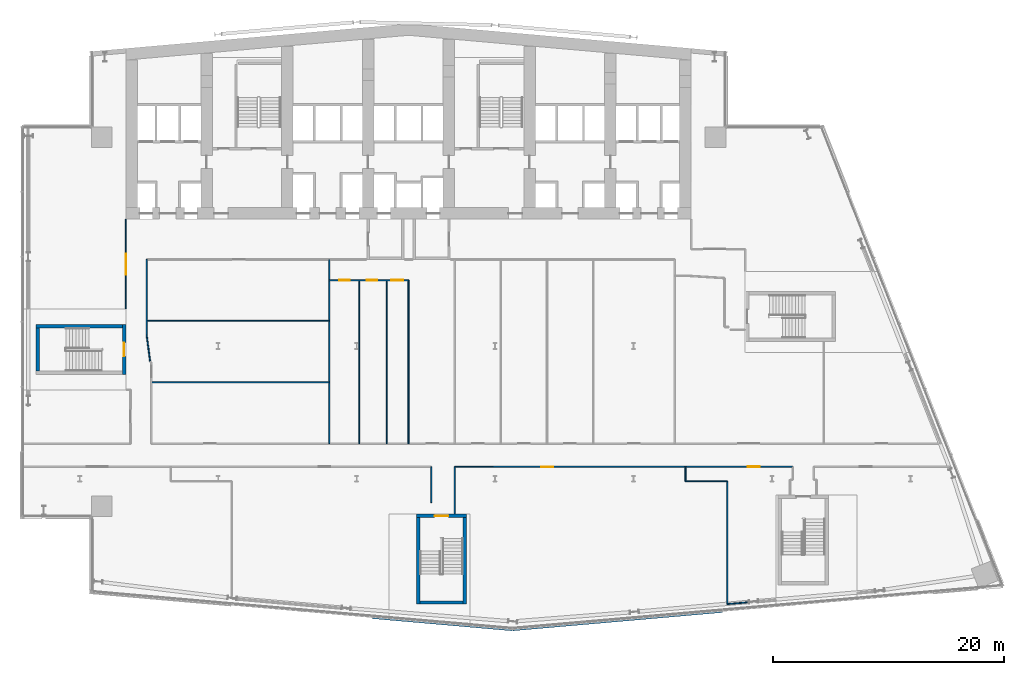
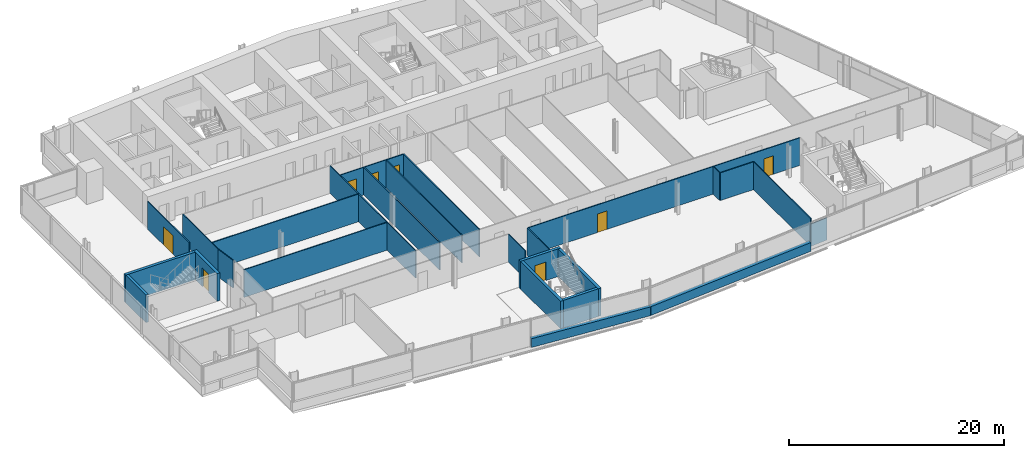
# One storey, part 15 of 25: 26 walls, 8 doors, 8 openings.
"""IFC4 building model written with IfcOpenShell, lengths in metres."""

from ifc_helpers import new_model, si_unit, direction, frame, frame_2d, origin, place, context, subcontext, project, spatial, rectangle, extrude, material, layer, layer_set, type_object, element, fill, save


model = new_model("IFC4")

# Units and contexts
model_context = context("Model", 3, precision=1e-05, world=origin(), true_north=direction((0.0, 1.0)))
body_context = subcontext(model_context, "Body", "Model", "MODEL_VIEW")
ifc_project = project(units=[si_unit("LENGTHUNIT", "METRE"), si_unit("AREAUNIT", "SQUARE_METRE"), si_unit("VOLUMEUNIT", "CUBIC_METRE"), si_unit("PLANEANGLEUNIT", "RADIAN"), si_unit("MASSUNIT", "GRAM", prefix="KILO")], contexts=[model_context])

# Site, building, storey
site_placement = place(None, origin())
site = spatial("IfcSite", under=ifc_project, at=site_placement, CompositionType="ELEMENT")
building_placement = place(site_placement, origin())
building = spatial("IfcBuilding", under=site, at=building_placement, Name="Wharfspan Tower", CompositionType="ELEMENT")
storey_placement = place(building_placement, frame((0.0, 0.0, 143.5)))
storey = spatial("IfcBuildingStorey", under=building, at=storey_placement, Name="L34", CompositionType="ELEMENT", Elevation=143.5)

# Wall, opening, door
ifc_material_1 = material(Name="Gypsum board on steel studs", Category="steel")
ifc_layer_1 = layer(ifc_material_1, 0.100098)
ifc_layer_set_1 = layer_set([ifc_layer_1], Name="Gypsum board on steel studs")
wall_type_1 = type_object("IfcWallType", Name="Compartment wall 100 EI 60", PredefinedType="PARTITIONING", material=ifc_layer_set_1)
wall_1_placement = place(storey_placement, frame((16.0, 26.219971, 0.0), z_axis=(0.0, 0.0, 1.0), x_axis=(0.0, 1.0, 0.0)))
wall_1 = element("IfcWall", 1, at=wall_1_placement, inside=storey, type_object=wall_type_1, Name="Partition L34.w005", PredefinedType="PARTITIONING", context=body_context, shape_type="SweptSolid", body=[
    extrude(rectangle(XDim=7.76001, YDim=0.100098, at=frame_2d((3.879883, 0.0))), origin(), (0.0, 0.0, 1.0), 3.149902),
])
opening_1_placement = place(wall_1_placement, frame((2.959961, 0.0, 0.0)))
opening_1 = element("IfcOpeningElement", 2, at=opening_1_placement, cuts=wall_1, Name="Opening B6-19", PredefinedType="OPENING", context=body_context, shape_type="SweptSolid", body=[
    extrude(rectangle(XDim=1.800049, YDim=2.100098, at=frame_2d((0.899902, 1.050049))), frame((0.0, 0.060059, 0.0), z_axis=(0.0, -1.0, 0.0), x_axis=(1.0, 0.0, 0.0)), (0.0, 0.0, 1.0), 0.120117),
])
ifc_material_2 = material(Name="Fire-rated timber door leaf in steel frame", Category="steel")
door_type_1 = type_object("IfcDoorType", Name="Door 1800 FD30S Double", OperationType="DOUBLE_DOOR_SINGLE_SWING", PredefinedType="DOOR", material=ifc_material_2)
door_1_placement = place(opening_1_placement, origin())
door_1 = element("IfcDoor", 3, at=door_1_placement, inside=storey, type_object=door_type_1, Name="Door B6-19", OperationType="DOUBLE_DOOR_SINGLE_SWING", OverallHeight=2.100098, OverallWidth=1.800049, PredefinedType="DOOR", context=body_context, shape_type="SweptSolid", body=[
    extrude(rectangle(XDim=1.800049, YDim=2.100098, at=frame_2d((0.899902, 1.050049))), frame((0.0, 0.024902, 0.0), z_axis=(0.0, -1.0, 0.0), x_axis=(1.0, 0.0, 0.0)), (0.0, 0.0, 1.0), 0.050049),
])
fill(opening_1, door_1)

# Walls
wall_2_placement = place(storey_placement, frame((17.800049, 23.935059, 0.0), z_axis=(0.0, 0.0, 1.0), x_axis=(0.0, 1.0, 0.0)))
element("IfcWall", 4, at=wall_2_placement, inside=storey, type_object=wall_type_1, Name="Partition L34.w008", PredefinedType="PARTITIONING", context=body_context, shape_type="SweptSolid", body=[
    extrude(rectangle(XDim=6.564941, YDim=0.100098, at=frame_2d((3.282471, 0.0))), origin(), (0.0, 0.0, 1.0), 3.149902),
])
wall_3_placement = place(storey_placement, frame((17.800049, 25.175049, 0.0), z_axis=(0.0, 0.0, 1.0), x_axis=(1.0, 0.0, 0.0)))
element("IfcWall", 5, at=wall_3_placement, inside=storey, type_object=wall_type_1, Name="Partition L34.w009", PredefinedType="PARTITIONING", context=body_context, shape_type="SweptSolid", body=[
    extrude(rectangle(XDim=15.824951, YDim=0.100098, at=frame_2d((7.912598, 0.0))), origin(), (0.0, 0.0, 1.0), 3.149902),
])
wall_4_placement = place(storey_placement, frame((18.100098, 21.659912, 0.0), z_axis=(0.0, 0.0, 1.0), x_axis=(-0.130749, 0.991416, 0.0)))
element("IfcWall", 6, at=wall_4_placement, inside=storey, type_object=wall_type_1, Name="Partition L34.w011", PredefinedType="PARTITIONING", context=body_context, shape_type="SweptSolid", body=[
    extrude(rectangle(XDim=2.294922, YDim=0.100098, at=frame_2d((1.147461, 0.0))), origin(), (0.0, 0.0, 1.0), 3.149902),
])
wall_5_placement = place(storey_placement, frame((18.199951, 19.85498, 0.0), z_axis=(0.0, 0.0, 1.0), x_axis=(1.0, 0.0, 0.0)))
element("IfcWall", 7, at=wall_5_placement, inside=storey, type_object=wall_type_1, Name="Partition L34.w014", PredefinedType="PARTITIONING", context=body_context, shape_type="SweptSolid", body=[
    extrude(rectangle(XDim=15.425049, YDim=0.100098, at=frame_2d((7.712402, 0.0))), origin(), (0.0, 0.0, 1.0), 3.149902),
])
wall_6_placement = place(storey_placement, frame((33.625, 14.530029, 0.0), z_axis=(0.0, 0.0, 1.0), x_axis=(0.0, 1.0, 0.0)))
element("IfcWall", 8, at=wall_6_placement, inside=storey, type_object=wall_type_1, Name="Partition L34.w020", PredefinedType="PARTITIONING", context=body_context, shape_type="SweptSolid", body=[
    extrude(rectangle(XDim=15.959961, YDim=0.100098, at=frame_2d((7.97998, 0.0))), origin(), (0.0, 0.0, 1.0), 3.149902),
])
for number, where, z_axis, x_axis, name in (
    (9, (36.215088, 14.530029, 0.0), (0.0, 0.0, 1.0), (0.0, 1.0, 0.0), "Partition L34.w023"),
    (10, (38.600098, 14.530029, 0.0), (0.0, 0.0, 1.0), (0.0, 1.0, 0.0), "Partition L34.w024"),
    (11, (40.5, 14.530029, 0.0), (0.0, 0.0, 1.0), (0.0, 1.0, 0.0), "Partition L34.w025"),
):
    element("IfcWall", number, at=place(storey_placement, frame(where, z_axis=z_axis, x_axis=x_axis)), inside=storey, type_object=wall_type_1, Name=name, PredefinedType="PARTITIONING", context=body_context, shape_type="SweptSolid", body=[
        extrude(rectangle(XDim=14.169922, YDim=0.100098, at=frame_2d((7.084961, 0.0))), origin(), (0.0, 0.0, 1.0), 3.149902),
    ])
wall_7_placement = place(storey_placement, frame((42.459961, 9.416992, 0.0), z_axis=(0.0, 0.0, 1.0), x_axis=(0.0, 1.0, 0.0)))
element("IfcWall", 12, at=wall_7_placement, inside=storey, type_object=wall_type_1, Name="Partition L34.w026", PredefinedType="PARTITIONING", context=body_context, shape_type="SweptSolid", body=[
    extrude(rectangle(XDim=3.113037, YDim=0.100098, at=frame_2d((1.556641, 0.0))), origin(), (0.0, 0.0, 1.0), 3.149902),
])
wall_8_placement = place(storey_placement, frame((44.51001, 8.437012, 0.0), z_axis=(0.0, 0.0, 1.0), x_axis=(0.0, 1.0, 0.0)))
element("IfcWall", 13, at=wall_8_placement, inside=storey, type_object=wall_type_1, Name="Partition L34.w028", PredefinedType="PARTITIONING", context=body_context, shape_type="SweptSolid", body=[
    extrude(rectangle(XDim=4.087891, YDim=0.100098, at=frame_2d((2.043945, 0.0))), origin(), (0.0, 0.0, 1.0), 3.149902),
])

# Wall, openings, doors
wall_9_placement = place(storey_placement, frame((44.51001, 12.524902, 0.0), z_axis=(0.0, 0.0, 1.0), x_axis=(1.0, 0.00025, 0.0)))
wall_9 = element("IfcWall", 14, at=wall_9_placement, inside=storey, type_object=wall_type_1, Name="Partition L34.w029", PredefinedType="PARTITIONING", context=body_context, shape_type="SweptSolid", body=[
    extrude(rectangle(XDim=29.296875, YDim=0.100098, at=frame_2d((14.648438, 0.0))), origin(), (0.0, 0.0, 1.0), 3.149902),
])
opening_2_placement = place(wall_9_placement, frame((7.510254, 0.0, 0.0)))
opening_2 = element("IfcOpeningElement", 15, at=opening_2_placement, cuts=wall_9, Name="Opening B6-01", PredefinedType="OPENING", context=body_context, shape_type="SweptSolid", body=[
    extrude(rectangle(XDim=1.0, YDim=2.100098, at=frame_2d((0.5, 1.050049))), frame((0.0, 0.060059, 0.0), z_axis=(0.0, -1.0, 0.0), x_axis=(1.0, 0.0, 0.0)), (0.0, 0.0, 1.0), 0.120117),
])
opening_3_placement = place(wall_9_placement, frame((25.409912, 0.0, 0.0)))
opening_3 = element("IfcOpeningElement", 16, at=opening_3_placement, cuts=wall_9, Name="Opening B6-04", PredefinedType="OPENING", context=body_context, shape_type="SweptSolid", body=[
    extrude(rectangle(XDim=1.0, YDim=2.100098, at=frame_2d((0.5, 1.050049))), frame((0.0, 0.060059, 0.0), z_axis=(0.0, -1.0, 0.0), x_axis=(1.0, 0.0, 0.0)), (0.0, 0.0, 1.0), 0.120117),
])
door_type_2 = type_object("IfcDoorType", Name="Door 1000 FD30S Left", OperationType="SINGLE_SWING_LEFT", PredefinedType="DOOR", material=ifc_material_2)
door_2_placement = place(opening_2_placement, origin())
door_2 = element("IfcDoor", 17, at=door_2_placement, inside=storey, type_object=door_type_2, Name="Door B6-01", OperationType="SINGLE_SWING_LEFT", OverallHeight=2.100098, OverallWidth=1.0, PredefinedType="DOOR", context=body_context, shape_type="SweptSolid", body=[
    extrude(rectangle(XDim=1.0, YDim=2.100098, at=frame_2d((0.5, 1.050049))), frame((0.0, 0.024902, 0.0), z_axis=(0.0, -1.0, 0.0), x_axis=(1.0, 0.0, 0.0)), (0.0, 0.0, 1.0), 0.050049),
])
fill(opening_2, door_2)
door_type_3 = type_object("IfcDoorType", Name="Door 1000 FD30S Right", OperationType="SINGLE_SWING_RIGHT", PredefinedType="DOOR", material=ifc_material_2)
door_3_placement = place(opening_3_placement, origin())
door_3 = element("IfcDoor", 18, at=door_3_placement, inside=storey, type_object=door_type_3, Name="Door B6-04", OperationType="SINGLE_SWING_RIGHT", OverallHeight=2.100098, OverallWidth=1.0, PredefinedType="DOOR", context=body_context, shape_type="SweptSolid", body=[
    extrude(rectangle(XDim=1.0, YDim=2.100098, at=frame_2d((0.5, 1.050049))), frame((0.0, 0.024902, 0.0), z_axis=(0.0, -1.0, 0.0), x_axis=(1.0, 0.0, 0.0)), (0.0, 0.0, 1.0), 0.050049),
])
fill(opening_3, door_3)

# Wall
wall_10_placement = place(storey_placement, frame((64.5, 11.290039, 0.0), z_axis=(0.0, 0.0, 1.0), x_axis=(0.0, 1.0, 0.0)))
element("IfcWall", 19, at=wall_10_placement, inside=storey, type_object=wall_type_1, Name="Partition L34.w035", PredefinedType="PARTITIONING", context=body_context, shape_type="SweptSolid", body=[
    extrude(rectangle(XDim=1.23999, YDim=0.100098, at=frame_2d((0.620117, 0.0))), origin(), (0.0, 0.0, 1.0), 3.149902),
])

# Wall, openings, doors
ifc_layer_2 = layer(ifc_material_1, 0.100098)
ifc_layer_set_2 = layer_set([ifc_layer_2], Name="Gypsum board on steel studs")
wall_type_2 = type_object("IfcWallType", Name="Partition 100", PredefinedType="PARTITIONING", material=ifc_layer_set_2)
wall_11_placement = place(storey_placement, frame((33.625, 28.699951, 0.0), z_axis=(0.0, 0.0, 1.0), x_axis=(1.0, 0.0, 0.0)))
wall_11 = element("IfcWall", 20, at=wall_11_placement, inside=storey, type_object=wall_type_2, Name="Partition L34.w021", PredefinedType="PARTITIONING", context=body_context, shape_type="SweptSolid", body=[
    extrude(rectangle(XDim=6.875, YDim=0.100098, at=frame_2d((3.4375, 0.0))), origin(), (0.0, 0.0, 1.0), 3.149902),
])
opening_4_placement = place(wall_11_placement, frame((0.870117, 0.0, 0.0)))
opening_4 = element("IfcOpeningElement", 21, at=opening_4_placement, cuts=wall_11, Name="Opening B6-16", PredefinedType="OPENING", context=body_context, shape_type="SweptSolid", body=[
    extrude(rectangle(XDim=0.899902, YDim=2.100098, at=frame_2d((0.449951, 1.050049))), frame((0.0, 0.060059, 0.0), z_axis=(0.0, -1.0, 0.0), x_axis=(1.0, 0.0, 0.0)), (0.0, 0.0, 1.0), 0.120117),
])
opening_5_placement = place(wall_11_placement, frame((3.26001, 0.0, 0.0)))
opening_5 = element("IfcOpeningElement", 22, at=opening_5_placement, cuts=wall_11, Name="Opening B6-17", PredefinedType="OPENING", context=body_context, shape_type="SweptSolid", body=[
    extrude(rectangle(XDim=0.899902, YDim=2.100098, at=frame_2d((0.449951, 1.050049))), frame((0.0, 0.060059, 0.0), z_axis=(0.0, -1.0, 0.0), x_axis=(1.0, 0.0, 0.0)), (0.0, 0.0, 1.0), 0.120117),
])
opening_6_placement = place(wall_11_placement, frame((5.39502, 0.0, 0.0)))
opening_6 = element("IfcOpeningElement", 23, at=opening_6_placement, cuts=wall_11, Name="Opening B6-18", PredefinedType="OPENING", context=body_context, shape_type="SweptSolid", body=[
    extrude(rectangle(XDim=1.0, YDim=2.100098, at=frame_2d((0.5, 1.050049))), frame((0.0, 0.060059, 0.0), z_axis=(0.0, -1.0, 0.0), x_axis=(1.0, 0.0, 0.0)), (0.0, 0.0, 1.0), 0.120117),
])
ifc_material_3 = material(Name="Timber door leaf in steel frame", Category="steel")
door_type_4 = type_object("IfcDoorType", Name="Door 1000 NOT RATED Right", OperationType="SINGLE_SWING_RIGHT", PredefinedType="DOOR", material=ifc_material_3)
door_4_placement = place(opening_6_placement, origin())
door_4 = element("IfcDoor", 24, at=door_4_placement, inside=storey, type_object=door_type_4, Name="Door B6-18", OperationType="SINGLE_SWING_RIGHT", OverallHeight=2.100098, OverallWidth=1.0, PredefinedType="DOOR", context=body_context, shape_type="SweptSolid", body=[
    extrude(rectangle(XDim=1.0, YDim=2.100098, at=frame_2d((0.5, 1.050049))), frame((0.0, 0.024902, 0.0), z_axis=(0.0, -1.0, 0.0), x_axis=(1.0, 0.0, 0.0)), (0.0, 0.0, 1.0), 0.050049),
])
fill(opening_6, door_4)
door_type_5 = type_object("IfcDoorType", Name="Door 900 NOT RATED Left", OperationType="SINGLE_SWING_LEFT", PredefinedType="DOOR", material=ifc_material_3)
door_5_placement = place(opening_4_placement, origin())
door_5 = element("IfcDoor", 25, at=door_5_placement, inside=storey, type_object=door_type_5, Name="Door B6-16", OperationType="SINGLE_SWING_LEFT", OverallHeight=2.100098, OverallWidth=0.899902, PredefinedType="DOOR", context=body_context, shape_type="SweptSolid", body=[
    extrude(rectangle(XDim=0.899902, YDim=2.100098, at=frame_2d((0.449951, 1.050049))), frame((0.0, 0.024902, 0.0), z_axis=(0.0, -1.0, 0.0), x_axis=(1.0, 0.0, 0.0)), (0.0, 0.0, 1.0), 0.050049),
])
fill(opening_4, door_5)
door_type_6 = type_object("IfcDoorType", Name="Door 900 NOT RATED Right", OperationType="SINGLE_SWING_RIGHT", PredefinedType="DOOR", material=ifc_material_3)
door_6_placement = place(opening_5_placement, origin())
door_6 = element("IfcDoor", 26, at=door_6_placement, inside=storey, type_object=door_type_6, Name="Door B6-17", OperationType="SINGLE_SWING_RIGHT", OverallHeight=2.100098, OverallWidth=0.899902, PredefinedType="DOOR", context=body_context, shape_type="SweptSolid", body=[
    extrude(rectangle(XDim=0.899902, YDim=2.100098, at=frame_2d((0.449951, 1.050049))), frame((0.0, 0.024902, 0.0), z_axis=(0.0, -1.0, 0.0), x_axis=(1.0, 0.0, 0.0)), (0.0, 0.0, 1.0), 0.050049),
])
fill(opening_5, door_6)

# Walls
wall_12_placement = place(storey_placement, frame((64.5, 11.290039, 0.0), z_axis=(0.0, 0.0, 1.0), x_axis=(1.0, 0.0, 0.0)))
element("IfcWall", 27, at=wall_12_placement, inside=storey, type_object=wall_type_2, Name="Partition L34.w036", PredefinedType="PARTITIONING", context=body_context, shape_type="SweptSolid", body=[
    extrude(rectangle(XDim=3.625, YDim=0.100098, at=frame_2d((1.8125, 0.0))), origin(), (0.0, 0.0, 1.0), 3.149902),
])
wall_13_placement = place(storey_placement, frame((68.125, 0.625, 0.0), z_axis=(0.0, 0.0, 1.0), x_axis=(0.0, 1.0, 0.0)))
element("IfcWall", 28, at=wall_13_placement, inside=storey, type_object=wall_type_2, Name="Partition L34.w042", PredefinedType="PARTITIONING", context=body_context, shape_type="SweptSolid", body=[
    extrude(rectangle(XDim=10.665039, YDim=0.100098, at=frame_2d((5.33252, 0.0))), origin(), (0.0, 0.0, 1.0), 3.149902),
])
wall_14_placement = place(storey_placement, frame((68.125, 0.625, 0.0), z_axis=(0.0, 0.0, 1.0), x_axis=(0.996253, 0.08653, 0.0)))
element("IfcWall", 29, at=wall_14_placement, inside=storey, type_object=wall_type_2, Name="Partition L34.w043", PredefinedType="PARTITIONING", context=body_context, shape_type="SweptSolid", body=[
    extrude(rectangle(XDim=1.791748, YDim=0.100098, at=frame_2d((0.895996, 0.0))), origin(), (0.0, 0.0, 1.0), 2.530029),
])
ifc_material_4 = material(Name="Concrete C40/50", Category="concrete")
ifc_layer_3 = layer(ifc_material_4, 0.350098)
ifc_layer_set_3 = layer_set([ifc_layer_3], Name="Concrete C40/50")
wall_type_3 = type_object("IfcWallType", Name="SPANDREL EXPOSED CONCRETE 350", PredefinedType="SOLIDWALL", material=ifc_layer_set_3)
wall_15_placement = place(storey_placement, frame((37.362793, -0.461426, 0.0), z_axis=(0.0, 0.0, 1.0), x_axis=(0.996194, -0.087159, 0.0)))
element("IfcWall", 30, at=wall_15_placement, inside=storey, type_object=wall_type_3, Name="Spandrel upstand L34 S1 2", PredefinedType="SOLIDWALL", context=body_context, shape_type="SweptSolid", body=[
    extrude(rectangle(XDim=12.19873, YDim=0.350098, at=frame_2d((6.099365, 0.0))), origin(), (0.0, 0.0, 1.0), 1.0),
])
wall_16_placement = place(storey_placement, frame((49.54541, -1.519287, 0.0), z_axis=(0.0, 0.0, 1.0), x_axis=(0.996191, 0.087151, 0.0)))
element("IfcWall", 31, at=wall_16_placement, inside=storey, type_object=wall_type_3, Name="Spandrel upstand L34 S2 1", PredefinedType="SOLIDWALL", context=body_context, shape_type="SweptSolid", body=[
    extrude(rectangle(XDim=18.20874, YDim=0.350098, at=frame_2d((9.104492, 0.0))), origin(), (0.0, 0.0, 1.0), 1.0),
])

# Wall, opening, door
ifc_layer_4 = layer(ifc_material_4, 0.300049)
ifc_layer_set_4 = layer_set([ifc_layer_4], Name="Concrete C40/50")
wall_type_4 = type_object("IfcWallType", Name="Stair core wall 300", PredefinedType="SHEAR", material=ifc_layer_set_4)
wall_17_placement = place(storey_placement, frame((15.850098, 20.524902, 0.0), z_axis=(0.0, 0.0, 1.0), x_axis=(0.0, 1.0, 0.0)))
wall_17 = element("IfcWall", 32, at=wall_17_placement, inside=storey, type_object=wall_type_4, Name="ST3 stair enclosure wall L34", PredefinedType="SHEAR", context=body_context, shape_type="SweptSolid", body=[
    extrude(rectangle(XDim=4.350098, YDim=0.300049, at=frame_2d((2.175049, 0.0))), origin(), (0.0, 0.0, 1.0), 3.149902),
])
opening_7_placement = place(wall_17_placement, frame((1.574951, 0.0, 0.0)))
opening_7 = element("IfcOpeningElement", 33, at=opening_7_placement, cuts=wall_17, Name="Opening SD3.L34", PredefinedType="OPENING", context=body_context, shape_type="SweptSolid", body=[
    extrude(rectangle(XDim=1.199951, YDim=2.100098, at=frame_2d((0.600098, 1.050049))), frame((0.0, 0.159912, 0.0), z_axis=(0.0, -1.0, 0.0), x_axis=(1.0, 0.0, 0.0)), (0.0, 0.0, 1.0), 0.320068),
])
ifc_material_5 = material(Name="Steel door leaf", Category="steel")
door_type_7 = type_object("IfcDoorType", Name="Stair door 1200x2100", OperationType="SINGLE_SWING_LEFT", PredefinedType="DOOR", material=ifc_material_5)
door_7_placement = place(opening_7_placement, origin())
door_7 = element("IfcDoor", 34, at=door_7_placement, inside=storey, type_object=door_type_7, Name="sd:L34:ST3z2", OperationType="SINGLE_SWING_RIGHT", OverallHeight=2.100098, OverallWidth=1.199951, PredefinedType="DOOR", context=body_context, shape_type="SweptSolid", body=[
    extrude(rectangle(XDim=1.199951, YDim=2.100098, at=frame_2d((0.600098, 1.050049))), frame((0.0, 0.024902, 0.0), z_axis=(0.0, -1.0, 0.0), x_axis=(1.0, 0.0, 0.0)), (0.0, 0.0, 1.0), 0.050049),
])
fill(opening_7, door_7)

wall_18_placement = place(storey_placement, frame((41.185303, 8.26709, 0.0), z_axis=(0.0, 0.0, 1.0), x_axis=(1.0, 0.0, 0.0)))
wall_18 = element("IfcWall", 35, at=wall_18_placement, inside=storey, type_object=wall_type_4, Name="ST4 stair enclosure wall L34", PredefinedType="SHEAR", context=body_context, shape_type="SweptSolid", body=[
    extrude(rectangle(XDim=4.350098, YDim=0.300049, at=frame_2d((2.175049, 0.0))), origin(), (0.0, 0.0, 1.0), 3.149902),
])
opening_8_placement = place(wall_18_placement, frame((1.574951, 0.0, 0.0)))
opening_8 = element("IfcOpeningElement", 36, at=opening_8_placement, cuts=wall_18, Name="Opening SD4.L34", PredefinedType="OPENING", context=body_context, shape_type="SweptSolid", body=[
    extrude(rectangle(XDim=1.199951, YDim=2.100098, at=frame_2d((0.600098, 1.050049))), frame((0.0, 0.159912, 0.0), z_axis=(0.0, -1.0, 0.0), x_axis=(1.0, 0.0, 0.0)), (0.0, 0.0, 1.0), 0.320068),
])
door_8_placement = place(opening_8_placement, origin())
door_8 = element("IfcDoor", 37, at=door_8_placement, inside=storey, type_object=door_type_7, Name="sd:L34:ST4z2", OperationType="SINGLE_SWING_RIGHT", OverallHeight=2.100098, OverallWidth=1.199951, PredefinedType="DOOR", context=body_context, shape_type="SweptSolid", body=[
    extrude(rectangle(XDim=1.199951, YDim=2.100098, at=frame_2d((0.600098, 1.050049))), frame((0.0, 0.024902, 0.0), z_axis=(0.0, -1.0, 0.0), x_axis=(1.0, 0.0, 0.0)), (0.0, 0.0, 1.0), 0.050049),
])
fill(opening_8, door_8)

# Walls
wall_19_placement = place(storey_placement, frame((8.199951, 24.725098, 0.0), z_axis=(0.0, 0.0, 1.0), x_axis=(1.0, 0.0, 0.0)))
element("IfcWall", 38, at=wall_19_placement, inside=storey, type_object=wall_type_4, Name="ST3 stair enclosure wall L34", PredefinedType="SHEAR", context=body_context, shape_type="SweptSolid", body=[
    extrude(rectangle(XDim=7.5, YDim=0.300049, at=frame_2d((3.75, 0.0))), origin(), (0.0, 0.0, 1.0), 3.149902),
])
wall_20_placement = place(storey_placement, frame((8.350098, 20.824951, 0.0), z_axis=(0.0, 0.0, 1.0), x_axis=(0.0, 1.0, 0.0)))
element("IfcWall", 39, at=wall_20_placement, inside=storey, type_object=wall_type_4, Name="ST3 stair enclosure wall L34", PredefinedType="SHEAR", context=body_context, shape_type="SweptSolid", body=[
    extrude(rectangle(XDim=3.75, YDim=0.300049, at=frame_2d((1.875, 0.0))), origin(), (0.0, 0.0, 1.0), 3.149902),
])
for number, where, z_axis, x_axis, name in (
    (40, (41.335205, 0.616943, 0.0), (0.0, 0.0, 1.0), (0.0, 1.0, 0.0), "ST4 stair enclosure wall L34"),
    (41, (45.385254, 0.616943, 0.0), (0.0, 0.0, 1.0), (0.0, 1.0, 0.0), "ST4 stair enclosure wall L34"),
):
    element("IfcWall", number, at=place(storey_placement, frame(where, z_axis=z_axis, x_axis=x_axis)), inside=storey, type_object=wall_type_4, Name=name, PredefinedType="SHEAR", context=body_context, shape_type="SweptSolid", body=[
        extrude(rectangle(XDim=7.5, YDim=0.300049, at=frame_2d((3.75, 0.0))), origin(), (0.0, 0.0, 1.0), 3.149902),
    ])
wall_21_placement = place(storey_placement, frame((41.485352, 0.76709, 0.0), z_axis=(0.0, 0.0, 1.0), x_axis=(1.0, 0.0, 0.0)))
element("IfcWall", 42, at=wall_21_placement, inside=storey, type_object=wall_type_4, Name="ST4 stair enclosure wall L34", PredefinedType="SHEAR", context=body_context, shape_type="SweptSolid", body=[
    extrude(rectangle(XDim=3.75, YDim=0.300049, at=frame_2d((1.875, 0.0))), origin(), (0.0, 0.0, 1.0), 3.149902),
])

save(model, "model.ifc")
